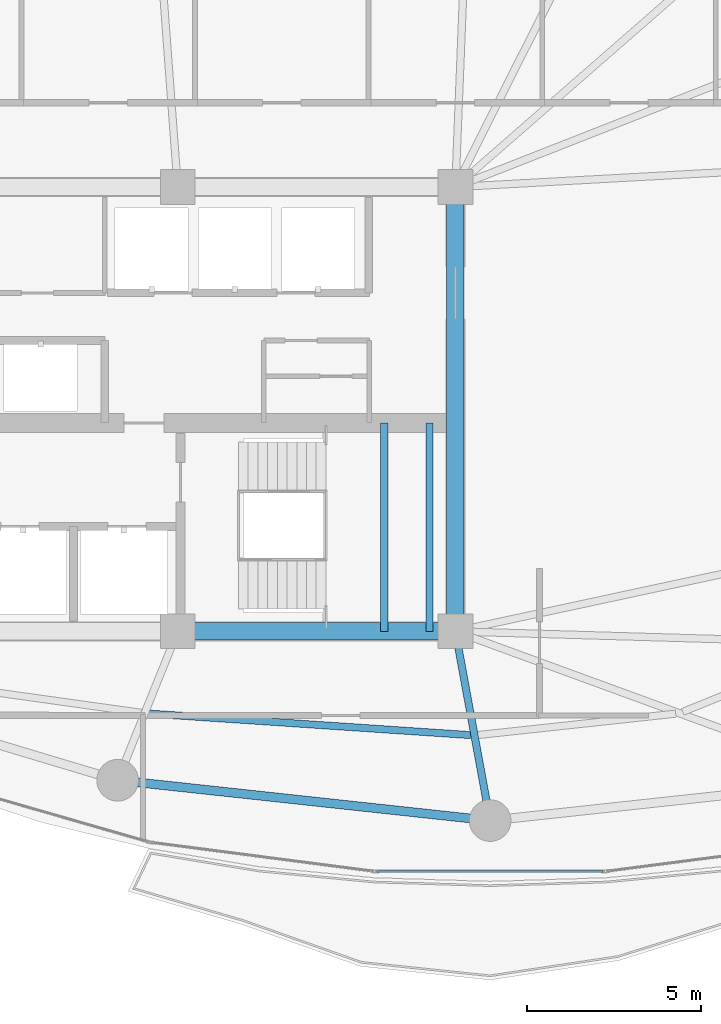
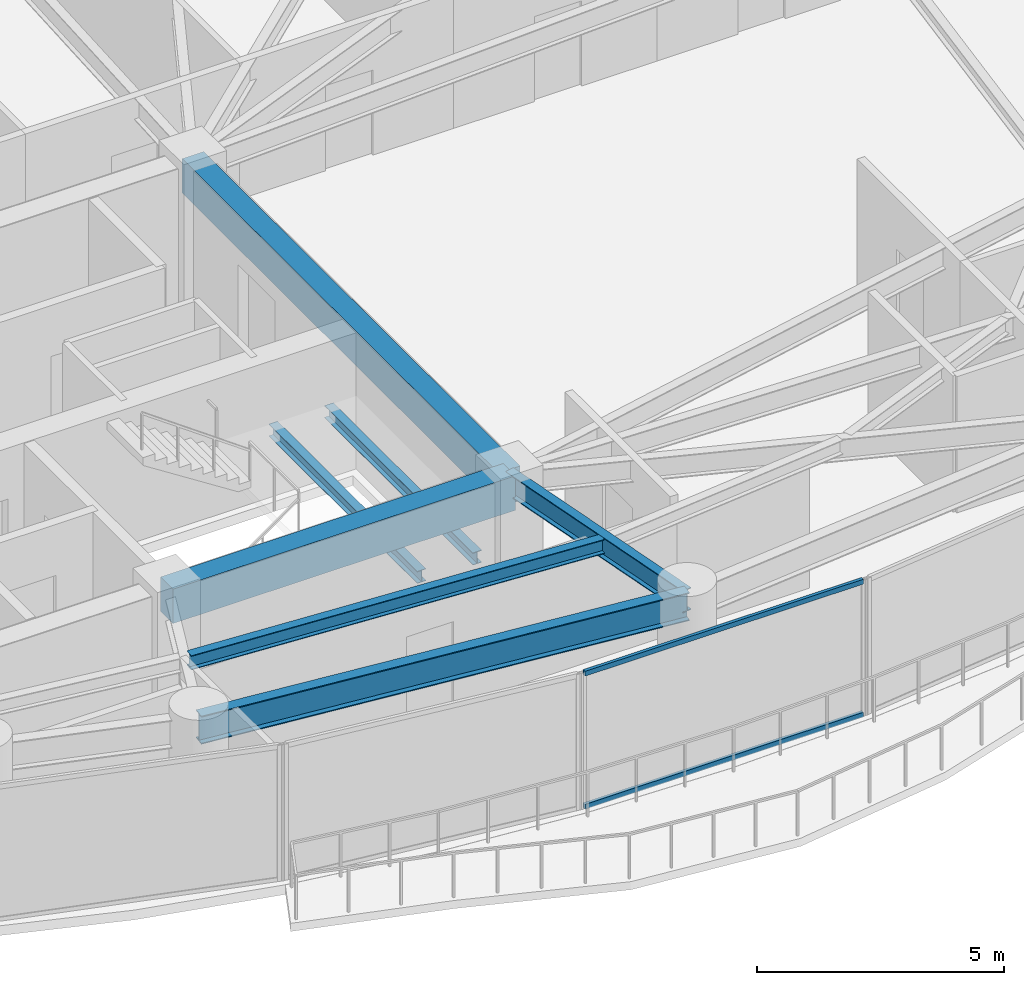
# One storey, part 6 of 30: 7 beams, 2 members, 1 element without a shape of its own.
"""IFC4 building model written with IfcOpenShell, lengths in metres."""

from ifc_helpers import new_model, si_unit, direction, frame, origin, origin_2d, place, context, subcontext, project, spatial, rectangle, hollow_rectangle, i_section, extrude, material, layer, layer_set, material_profile, profile_set, type_object, element, aggregate, save


model = new_model("IFC4")

# Units and contexts
model_context = context("Model", 3, precision=1e-05, world=origin(), true_north=direction((0.0, 1.0)))
body_context = subcontext(model_context, "Body", "Model", "MODEL_VIEW")
ifc_project = project(units=[si_unit("LENGTHUNIT", "METRE"), si_unit("AREAUNIT", "SQUARE_METRE"), si_unit("VOLUMEUNIT", "CUBIC_METRE"), si_unit("PLANEANGLEUNIT", "RADIAN"), si_unit("MASSUNIT", "GRAM", prefix="KILO")], contexts=[model_context])

# Site, building, storey
site_placement = place(None, origin())
site = spatial("IfcSite", under=ifc_project, at=site_placement, CompositionType="ELEMENT")
building_placement = place(site_placement, origin())
building = spatial("IfcBuilding", under=site, at=building_placement, Name="Kazevale Care Tower and Concert Hall", CompositionType="ELEMENT")
storey_placement = place(building_placement, frame((0.0, 0.0, 131.39990234375)))
storey = spatial("IfcBuildingStorey", under=building, at=storey_placement, Name="L34", CompositionType="ELEMENT", Elevation=131.39990234375)

# Curtain wall, members
ifc_material_1 = material(Name="Aluminium 6063-T6 and Low-E Glass", Category="aluminium")
ifc_layer = layer(ifc_material_1, 0.179931640625)
ifc_layer_set = layer_set([ifc_layer], Name="Aluminium 6063-T6 and Low-E Glass")
curtain_wall_type = type_object("IfcCurtainWallType", Name="Sheltered Concave Balcony Curtain Wall CW-5", PredefinedType="NOTDEFINED", material=ifc_layer_set)
curtain_wall_placement = place(storey_placement, origin())
curtain_wall = element("IfcCurtainWall", 1, at=curtain_wall_placement, inside=storey, type_object=curtain_wall_type, Name="cw:L34:f06", PredefinedType="NOTDEFINED")
ifc_material_2 = material(Name="Aluminium 6063-T6", Category="aluminium")
ifc_material_profile_1 = material_profile(ifc_material_2, hollow_rectangle(XDim=0.074951171875, YDim=0.1201171875, WallThickness=0.00390625, at=origin_2d()), Name="ALU75x120x4")
ifc_profile_set_1 = profile_set([ifc_material_profile_1], Name="Aluminium 6063-T6")
member_type = type_object("IfcMemberType", Name="CW-5 Transom ALU75x120x4", PredefinedType="USERDEFINED", material=ifc_profile_set_1)
member_1_placement = place(storey_placement, frame((48.25, 16.68408203125, 0.03759765625), z_axis=(-1.0, 0.0, 0.0), x_axis=(0.0, -1.0, 0.0)))
member_1 = element("IfcMember", 2, at=member_1_placement, type_object=member_type, Name="CW-5 transom 1.1", ObjectType="TRANSOM", PredefinedType="USERDEFINED", context=body_context, shape_type="SweptSolid", body=[
    extrude(hollow_rectangle(XDim=0.074951171875, YDim=0.1201171875, WallThickness=0.00390625, at=origin_2d()), origin(), (0.0, 0.0, 1.0), 6.5),
])
member_2_placement = place(storey_placement, frame((48.25, 16.68408203125, 3.322509765625), z_axis=(-1.0, 0.0, 0.0), x_axis=(0.0, -1.0, 0.0)))
member_2 = element("IfcMember", 3, at=member_2_placement, type_object=member_type, Name="CW-5 transom 1.2", ObjectType="TRANSOM", PredefinedType="USERDEFINED", context=body_context, shape_type="SweptSolid", body=[
    extrude(hollow_rectangle(XDim=0.074951171875, YDim=0.1201171875, WallThickness=0.00390625, at=origin_2d()), origin(), (0.0, 0.0, 1.0), 6.5),
])
aggregate(curtain_wall, [member_1, member_2])

# Beams
ifc_material_3 = material(Name="Concrete C60", Category="concrete")
ifc_material_profile_2 = material_profile(ifc_material_3, rectangle(XDim=0.5, YDim=0.85009765625, at=origin_2d()), Name="RC-B500x850")
ifc_profile_set_2 = profile_set([ifc_material_profile_2], Name="Concrete C60")
beam_type_1 = type_object("IfcBeamType", Name="Core Coupling Beam RC500x850", PredefinedType="LINTEL", material=ifc_profile_set_2)
beam_1_placement = place(storey_placement, frame((36.0, 23.60009765625, 2.93505859375), z_axis=(1.0, 0.0, 0.0), x_axis=(0.0, 1.0, 0.0)))
element("IfcBeam", 4, at=beam_1_placement, inside=storey, type_object=beam_type_1, Name="beam:L34:coretie:3", PredefinedType="LINTEL", context=body_context, shape_type="SweptSolid", body=[
    extrude(rectangle(XDim=0.5, YDim=0.85009765625, at=origin_2d()), origin(), (0.0, 0.0, 1.0), 8.0),
])
beam_2_placement = place(storey_placement, frame((44.0, 23.60009765625, 2.93505859375), z_axis=(0.0, 1.0, 0.0), x_axis=(-1.0, 0.0, 0.0)))
element("IfcBeam", 5, at=beam_2_placement, inside=storey, type_object=beam_type_1, Name="beam:L34:coretie:4", PredefinedType="LINTEL", context=body_context, shape_type="SweptSolid", body=[
    extrude(rectangle(XDim=0.5, YDim=0.85009765625, at=origin_2d()), origin(), (0.0, 0.0, 1.0), 12.7998046875),
])
ifc_material_4 = material(Name="Steel ASTM A572 Gr 50", Category="steel")
ifc_material_profile_3 = material_profile(ifc_material_4, i_section(OverallWidth=0.2119140625, OverallDepth=0.5439453125, WebThickness=0.01318359375, FlangeThickness=0.021240234375, at=origin_2d()), Name="W530x123")
ifc_profile_set_3 = profile_set([ifc_material_profile_3], Name="Steel ASTM A572 Gr 50")
beam_type_2 = type_object("IfcBeamType", Name="Radial Floor Girder W530x123", PredefinedType="BEAM", material=ifc_profile_set_3)
beam_3_placement = place(storey_placement, frame((44.0, 23.60009765625, 3.088134765625), z_axis=(0.180467114023, -0.983581018908, 0.0), x_axis=(0.983581018908, 0.180467114023, 0.0)))
element("IfcBeam", 6, at=beam_3_placement, inside=storey, type_object=beam_type_2, Name="beam:L34:rad:13", PredefinedType="BEAM", context=body_context, shape_type="SweptSolid", body=[
    extrude(i_section(OverallWidth=0.2119140625, OverallDepth=0.5439453125, WebThickness=0.01318359375, FlangeThickness=0.021240234375, at=origin_2d()), origin(), (0.0, 0.0, 1.0), 5.541259765625),
])
ifc_material_profile_4 = material_profile(ifc_material_4, i_section(OverallWidth=0.205078125, OverallDepth=0.35400390625, WebThickness=0.009521484375, FlangeThickness=0.016845703125, at=origin_2d()), Name="W360x79")
ifc_profile_set_4 = profile_set([ifc_material_profile_4], Name="Steel ASTM A572 Gr 50")
beam_type_3 = type_object("IfcBeamType", Name="Secondary Floor Joist W360x79", PredefinedType="JOIST", material=ifc_profile_set_4)
beam_4_placement = place(storey_placement, frame((35.153076171875, 21.23291015625, 3.18310546875), z_axis=(0.997761314569, -0.06687569925, 0.0), x_axis=(0.06687569925, 0.997761314569, 0.0)))
element("IfcBeam", 7, at=beam_4_placement, inside=storey, type_object=beam_type_3, Name="beam:L34:joist:12", PredefinedType="JOIST", context=body_context, shape_type="SweptSolid", body=[
    extrude(i_section(OverallWidth=0.205078125, OverallDepth=0.35400390625, WebThickness=0.009521484375, FlangeThickness=0.016845703125, at=origin_2d()), origin(), (0.0, 0.0, 1.0), 9.312744140625),
])
ifc_material_profile_5 = material_profile(ifc_material_4, i_section(OverallWidth=0.202880859375, OverallDepth=0.302978515625, WebThickness=0.007568359375, FlangeThickness=0.01318359375, at=origin_2d()), Name="W310x60")
ifc_profile_set_5 = profile_set([ifc_material_profile_5], Name="Steel ASTM A572 Gr 50")
beam_type_4 = type_object("IfcBeamType", Name="Stair & Balcony Trimmer W310x60", PredefinedType="BEAM", material=ifc_profile_set_5)
for number, where, z_axis, x_axis, name in (
    (8, (41.949951171875, 23.60009765625, 1.448486328125), (0.0, 1.0, 0.0), (-1.0, 0.0, 0.0), "beam:L34:sttrim:ST2"),
    (9, (43.25, 23.60009765625, 1.448486328125), (0.0, 1.0, 0.0), (-1.0, 0.0, 0.0), "beam:L34:sttrim:ST2b"),
):
    element("IfcBeam", number, at=place(storey_placement, frame(where, z_axis=z_axis, x_axis=x_axis)), inside=storey, type_object=beam_type_4, Name=name, PredefinedType="BEAM", context=body_context, shape_type="SweptSolid", body=[
        extrude(i_section(OverallWidth=0.202880859375, OverallDepth=0.302978515625, WebThickness=0.007568359375, FlangeThickness=0.01318359375, at=origin_2d()), origin(), (0.0, 0.0, 1.0), 6.0),
    ])
ifc_material_profile_6 = material_profile(ifc_material_4, i_section(OverallWidth=0.256103515625, OverallDepth=0.693115234375, WebThickness=0.014404296875, FlangeThickness=0.023681640625, at=origin_2d()), Name="W690x170")
ifc_profile_set_6 = profile_set([ifc_material_profile_6], Name="Steel ASTM A572 Gr 50")
beam_type_5 = type_object("IfcBeamType", Name="Waist Ring Beam W690x170", PredefinedType="BEAM", material=ifc_profile_set_6)
beam_5_placement = place(storey_placement, frame((34.27001953125, 19.31005859375, 3.013671875), z_axis=(0.994205479487, -0.107496346724, 0.0), x_axis=(0.107496346724, 0.994205479487, 0.0)))
element("IfcBeam", 10, at=beam_5_placement, inside=storey, type_object=beam_type_5, Name="beam:L34:ring:12", PredefinedType="BEAM", context=body_context, shape_type="SweptSolid", body=[
    extrude(i_section(OverallWidth=0.256103515625, OverallDepth=0.693115234375, WebThickness=0.014404296875, FlangeThickness=0.023681640625, at=origin_2d()), origin(), (0.0, 0.0, 1.0), 10.79248046875),
])

save(model, "model.ifc")
